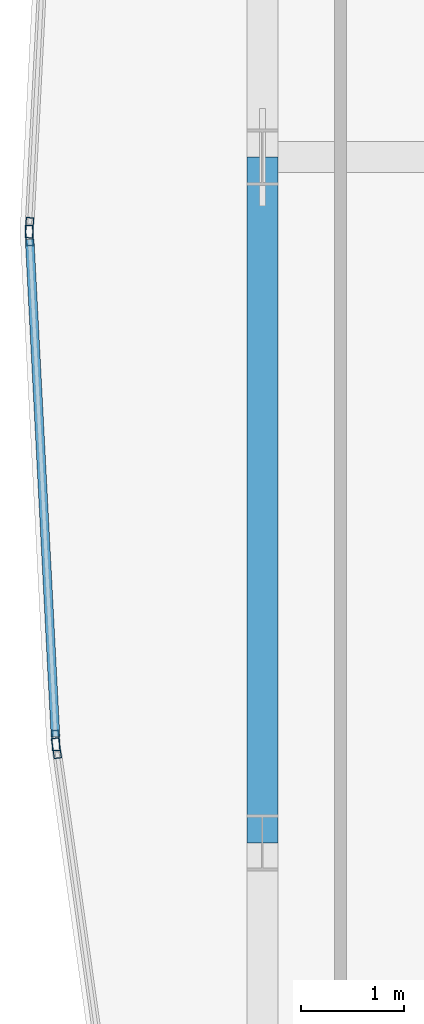
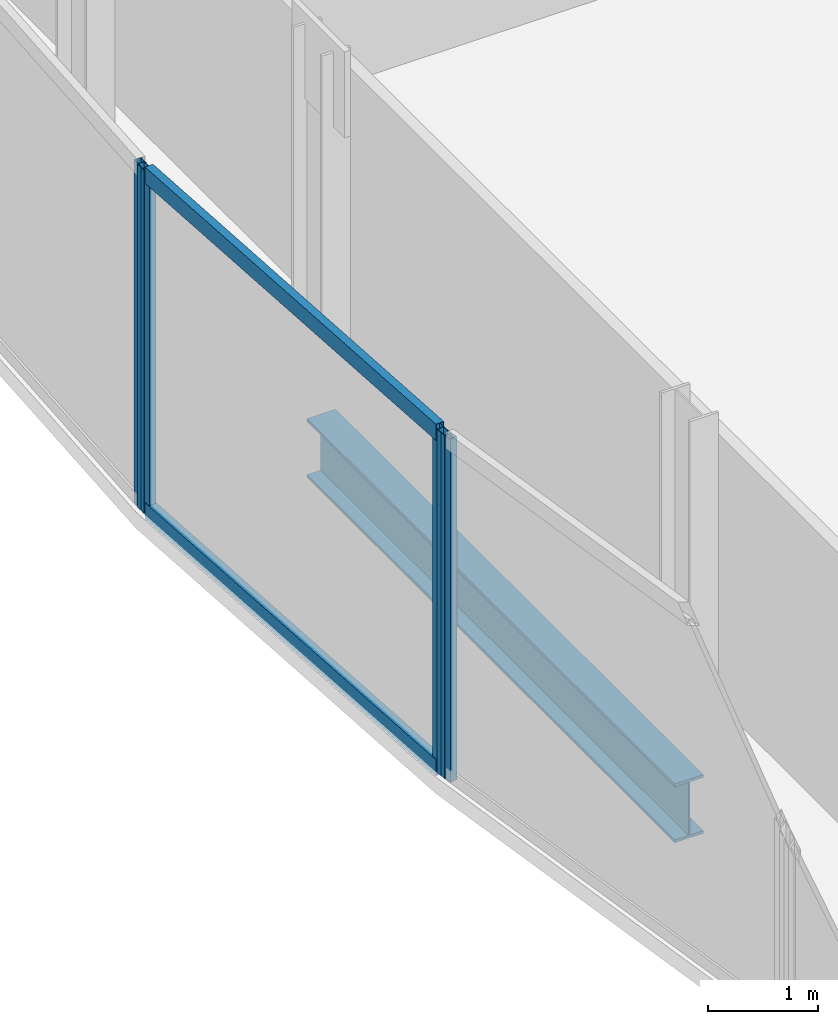
# One storey, part 10 of 34: 6 members, 1 beam, 3 elements without a shape of their own.
"""IFC4 building model written with IfcOpenShell, lengths in metres."""

from ifc_helpers import new_model, si_unit, direction, frame, origin, origin_2d, place, context, subcontext, project, spatial, hollow_rectangle, i_section, extrude, material, material_profile, profile_set, type_object, element, aggregate, save


model = new_model("IFC4")

# Units and contexts
model_context = context("Model", 3, precision=1e-05, world=origin(), true_north=direction((0.0, 1.0)))
body_context = subcontext(model_context, "Body", "Model", "MODEL_VIEW")
ifc_project = project(units=[si_unit("LENGTHUNIT", "METRE"), si_unit("AREAUNIT", "SQUARE_METRE"), si_unit("VOLUMEUNIT", "CUBIC_METRE"), si_unit("PLANEANGLEUNIT", "RADIAN"), si_unit("MASSUNIT", "GRAM", prefix="KILO")], contexts=[model_context])

# Site, building, storey
site_placement = place(None, origin())
site = spatial("IfcSite", under=ifc_project, at=site_placement, CompositionType="ELEMENT")
building_placement = place(site_placement, origin())
building = spatial("IfcBuilding", under=site, at=building_placement, Name="Khoronbel Lancet Exchange", CompositionType="ELEMENT")
storey_placement = place(building_placement, frame((0.0, 0.0, 102.60009765625)))
storey = spatial("IfcBuildingStorey", under=building, at=storey_placement, Name="L24", CompositionType="ELEMENT", Elevation=102.60009765625)

# Beam
ifc_material_1 = material(Name="Steel S355", Category="steel")
ifc_material_profile_1 = material_profile(ifc_material_1, i_section(OverallWidth=0.300048828125, OverallDepth=0.64990234375, WebThickness=0.01611328125, FlangeThickness=0.031005859375, at=origin_2d()), Name="HEB 650")
ifc_profile_set_1 = profile_set([ifc_material_profile_1], Name="Steel S355")
beam_type = type_object("IfcBeamType", Name="BM-BSP1", PredefinedType="SPANDREL", material=ifc_profile_set_1)
beam_placement = place(storey_placement, frame((3.27001953125, 31.425048828125, -0.505126953125), z_axis=(0.0, -1.0, 0.0), x_axis=(1.0, 0.0, 0.0)))
element("IfcBeam", 1, at=beam_placement, inside=storey, type_object=beam_type, Name="Level L24 perimeter spandrel beam SP19", PredefinedType="SPANDREL", context=body_context, shape_type="SweptSolid", body=[
    extrude(i_section(OverallWidth=0.300048828125, OverallDepth=0.64990234375, WebThickness=0.01611328125, FlangeThickness=0.031005859375, at=origin_2d()), origin(), (0.0, 0.0, 1.0), 6.675048828125),
])

# Curtain wall, member
ifc_material_2 = material(Name="Low-E Solar Control Insulating Glass", Category="glass")
curtain_wall_type = type_object("IfcCurtainWallType", Name="CW-4", PredefinedType="NOTDEFINED", material=ifc_material_2)
curtain_wall_1_placement = place(storey_placement, origin())
curtain_wall_1 = element("IfcCurtainWall", 2, at=curtain_wall_1_placement, inside=storey, type_object=curtain_wall_type, Name="Unitised curtain wall CW-L24-E05", PredefinedType="NOTDEFINED")
ifc_material_3 = material(Name="Bronze-Anodised Aluminium 6063-T6", Category="aluminium")
ifc_material_profile_2 = material_profile(ifc_material_3, hollow_rectangle(XDim=0.074951171875, YDim=0.199951171875, WallThickness=0.0048828125, at=origin_2d()), Name="ALU MULLION 75x200")
ifc_profile_set_2 = profile_set([ifc_material_profile_2], Name="Bronze-Anodised Aluminium 6063-T6")
member_type_1 = type_object("IfcMemberType", Name="MEM-CWM2", PredefinedType="MULLION", material=ifc_profile_set_2)
member_1_placement = place(storey_placement, frame((1.264892578125, 25.671630859375, 0.0), z_axis=(0.0, 0.0, 1.0), x_axis=(-0.990065733609, -0.1406052742, 0.0)))
member_1 = element("IfcMember", 3, at=member_1_placement, type_object=member_type_1, Name="CW4 mullion 2", PredefinedType="MULLION", context=body_context, shape_type="SweptSolid", body=[
    extrude(hollow_rectangle(XDim=0.074951171875, YDim=0.199951171875, WallThickness=0.0048828125, at=origin_2d()), origin(), (0.0, 0.0, 1.0), 3.7998046875),
])
aggregate(curtain_wall_1, [member_1])

# Curtain wall, members
curtain_wall_2_placement = place(storey_placement, origin())
curtain_wall_2 = element("IfcCurtainWall", 4, at=curtain_wall_2_placement, inside=storey, type_object=curtain_wall_type, Name="Unitised curtain wall CW-L24-E06", PredefinedType="NOTDEFINED")
member_2_placement = place(storey_placement, frame((1.2578125, 25.74609375, 0.0), z_axis=(0.0, 0.0, 1.0), x_axis=(-0.998651229545, -0.051920340209, 0.0)))
member_2 = element("IfcMember", 5, at=member_2_placement, type_object=member_type_1, Name="CW4 mullion 1", PredefinedType="MULLION", context=body_context, shape_type="SweptSolid", body=[
    extrude(hollow_rectangle(XDim=0.074951171875, YDim=0.199951171875, WallThickness=0.0048828125, at=origin_2d()), origin(), (0.0, 0.0, 1.0), 3.7998046875),
])
member_3_placement = place(storey_placement, frame((1.002197265625, 30.66259765625, 0.0), z_axis=(0.0, 0.0, 1.0), x_axis=(-0.998651229545, -0.051920340209, 0.0)))
member_3 = element("IfcMember", 6, at=member_3_placement, type_object=member_type_1, Name="CW4 mullion 2", PredefinedType="MULLION", context=body_context, shape_type="SweptSolid", body=[
    extrude(hollow_rectangle(XDim=0.074951171875, YDim=0.199951171875, WallThickness=0.0048828125, at=origin_2d()), origin(), (0.0, 0.0, 1.0), 3.7998046875),
])

# Curtain wall, member
curtain_wall_3_placement = place(storey_placement, origin())
curtain_wall_3 = element("IfcCurtainWall", 7, at=curtain_wall_3_placement, inside=storey, type_object=curtain_wall_type, Name="Unitised curtain wall CW-L24-E07", PredefinedType="NOTDEFINED")
member_4_placement = place(storey_placement, frame((1.002197265625, 30.737548828125, 0.0), z_axis=(0.0, 0.0, 1.0), x_axis=(-0.998651229545, 0.051920340209, 0.0)))
member_4 = element("IfcMember", 8, at=member_4_placement, type_object=member_type_1, Name="CW4 mullion 1", PredefinedType="MULLION", context=body_context, shape_type="SweptSolid", body=[
    extrude(hollow_rectangle(XDim=0.074951171875, YDim=0.199951171875, WallThickness=0.0048828125, at=origin_2d()), origin(), (0.0, 0.0, 1.0), 3.7998046875),
])
aggregate(curtain_wall_3, [member_4])

# Member
ifc_material_profile_3 = material_profile(ifc_material_3, hollow_rectangle(XDim=0.0849609375, YDim=0.179931640625, WallThickness=0.0048828125, at=origin_2d()), Name="ALU TRANSOM 85x180")
ifc_profile_set_3 = profile_set([ifc_material_profile_3], Name="Bronze-Anodised Aluminium 6063-T6")
member_type_2 = type_object("IfcMemberType", Name="MEM-CWT1", PredefinedType="USERDEFINED", material=ifc_profile_set_3)
member_5_placement = place(storey_placement, frame((1.255859375, 25.78369140625, 0.04248046875), z_axis=(-0.051921802284, 0.99865115353, 0.0), x_axis=(-0.99865115353, -0.051921802284, 0.0)))
member_5 = element("IfcMember", 9, at=member_5_placement, type_object=member_type_2, Name="CW4 transom 1.1", ObjectType="TRANSOM", PredefinedType="USERDEFINED", context=body_context, shape_type="SweptSolid", body=[
    extrude(hollow_rectangle(XDim=0.0849609375, YDim=0.179931640625, WallThickness=0.0048828125, at=origin_2d()), origin(), (0.0, 0.0, 1.0), 4.847900390625),
])

member_6_placement = place(storey_placement, frame((1.255859375, 25.78369140625, 3.75732421875), z_axis=(-0.051921802284, 0.99865115353, 0.0), x_axis=(-0.99865115353, -0.051921802284, 0.0)))
member_6 = element("IfcMember", 10, at=member_6_placement, type_object=member_type_2, Name="CW4 transom 1.2", ObjectType="TRANSOM", PredefinedType="USERDEFINED", context=body_context, shape_type="SweptSolid", body=[
    extrude(hollow_rectangle(XDim=0.0849609375, YDim=0.179931640625, WallThickness=0.0048828125, at=origin_2d()), origin(), (0.0, 0.0, 1.0), 4.847900390625),
])

aggregate(curtain_wall_2, [member_2, member_3, member_5, member_6])

save(model, "model.ifc")
